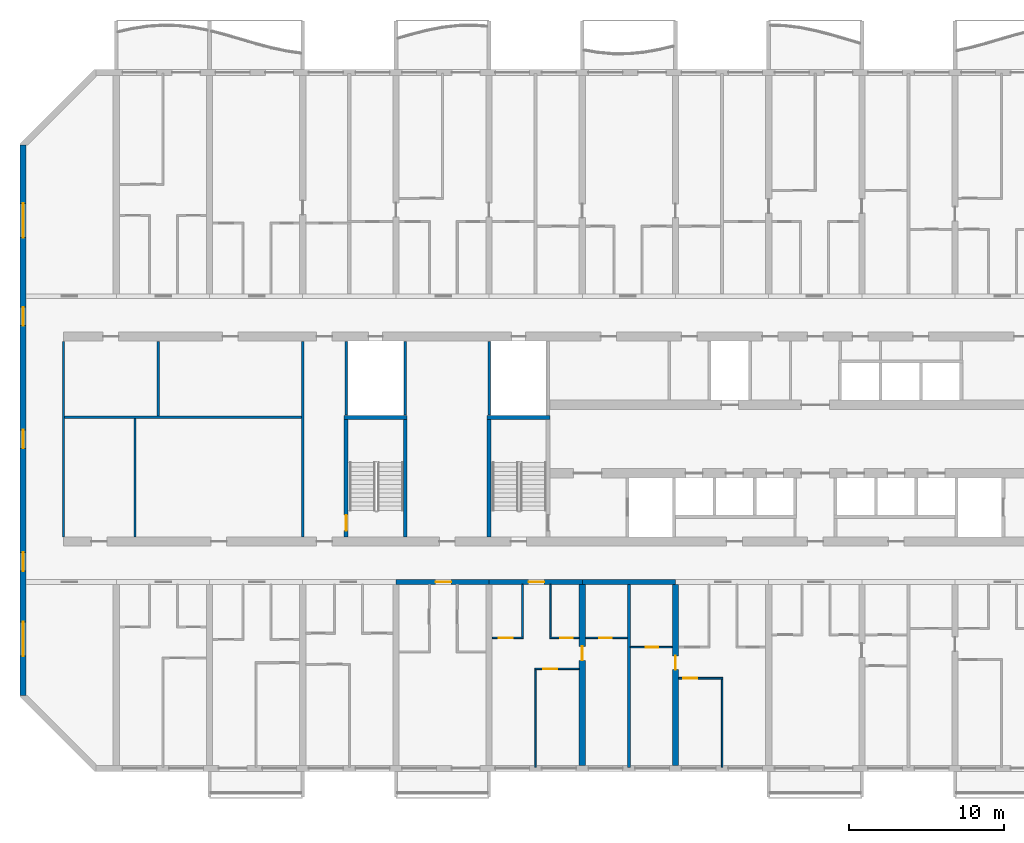
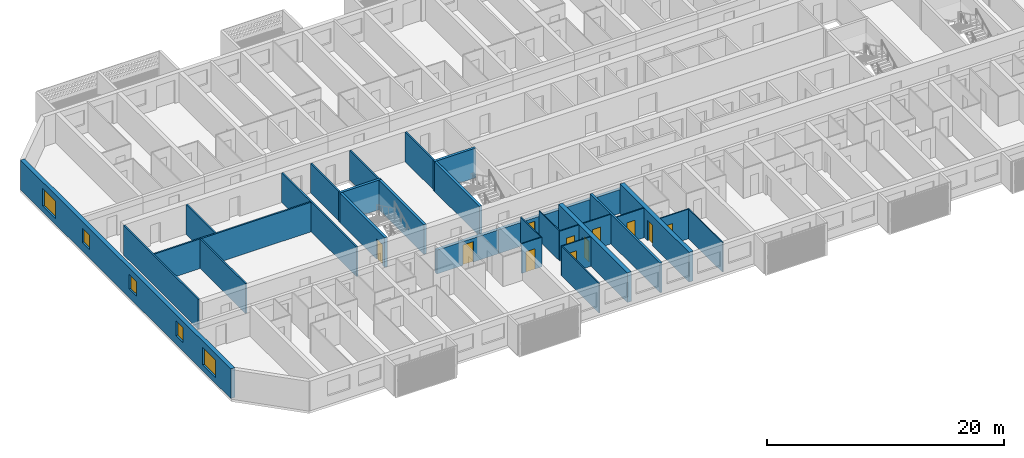
# One storey, part 3 of 40: 30 walls, 11 doors, 5 windows, 16 openings.
"""IFC4 building model written with IfcOpenShell, lengths in metres."""

import ifcopenshell
import ifcopenshell.guid

model = None  # the IFC model being written
_history = None  # IfcOwnerHistory: only IFC2X3 demands one
_inside = {}  # id of a spatial element -> (the spatial element, [elements in it])
_under = {}  # id of a project, library or spatial element -> (it, [spatial elements below it])
_declared = {}  # id of a project -> (the project, [libraries it declares])
_typed = {}  # id of a type object -> (the type object, [elements of that type])
_made_of = {}  # id of a material, layer set ... -> (it, [elements and type objects made of it])


def new_model(schema):
    """Start an empty IFC model of exactly this schema.

    Asked for "IFC4X3", IfcOpenShell would pick the latest addendum, in which some entities
    have other attributes; the version numbers below select the first issue.
    IFC2X3 requires an IfcOwnerHistory on every rooted entity: one is made here for all.
    """
    global model, _history
    if schema == "IFC4X3":
        model = ifcopenshell.file(schema_version=(4, 3, 0, 0))
    else:
        model = ifcopenshell.file(schema=schema)
    _inside.clear()
    _under.clear()
    _declared.clear()
    _typed.clear()
    _made_of.clear()
    _history = None
    if model.schema == "IFC2X3":
        org = make("IfcOrganization", Name="unknown")
        user = make(
            "IfcPersonAndOrganization",
            ThePerson=make("IfcPerson", FamilyName="unknown"),
            TheOrganization=org,
        )
        app = make(
            "IfcApplication",
            ApplicationDeveloper=org,
            Version="unknown",
            ApplicationFullName="unknown",
            ApplicationIdentifier="unknown",
        )
        _history = make(
            "IfcOwnerHistory",
            OwningUser=user,
            OwningApplication=app,
            ChangeAction="ADDED",
            CreationDate=0,
        )
    return model


def make(cls, **values):
    """One entity of the class cls with the attributes given. An attribute that is None is left unset."""
    return model.create_entity(
        cls, **{name: value for name, value in values.items() if value is not None}
    )


def rooted(cls, **values):
    """An entity with a GlobalId (a new one), such as an element, a storey or a relation."""
    return make(cls, GlobalId=ifcopenshell.guid.new(), OwnerHistory=_history, **values)


def si_unit(unit_type, name, prefix=None):
    """IfcSIUnit, for example si_unit("LENGTHUNIT", "METRE", prefix="MILLI")."""
    return make("IfcSIUnit", UnitType=unit_type, Prefix=prefix, Name=name)


def assignment(units):
    """IfcUnitAssignment: the units of a project."""
    return None if units is None else make("IfcUnitAssignment", Units=units)


def point(xyz):
    """IfcCartesianPoint."""
    return None if xyz is None else make("IfcCartesianPoint", Coordinates=xyz)


def direction(xyz):
    """IfcDirection."""
    return None if xyz is None else make("IfcDirection", DirectionRatios=xyz)


def frame(location, z_axis=None, x_axis=None):
    """IfcAxis2Placement3D, a coordinate frame: its origin and axes. An axis left out is left unset."""
    return make(
        "IfcAxis2Placement3D",
        Location=point(location),
        Axis=direction(z_axis),
        RefDirection=direction(x_axis),
    )


def frame_2d(location, x_axis=None):
    """IfcAxis2Placement2D, a coordinate frame in the plane: its origin and x axis."""
    return make(
        "IfcAxis2Placement2D", Location=point(location), RefDirection=direction(x_axis)
    )


def origin():
    """The frame at (0, 0, 0) with its axes left unset."""
    return frame((0.0, 0.0, 0.0))


def place(relative_to, where):
    """IfcLocalPlacement: puts the frame where relative to a parent placement (None: the world)."""
    return make(
        "IfcLocalPlacement", PlacementRelTo=relative_to, RelativePlacement=where
    )


def context(
    kind, dimensions, precision=None, world=None, true_north=None, identifier=None
):
    """IfcGeometricRepresentationContext, for example the 3D "Model" context."""
    return make(
        "IfcGeometricRepresentationContext",
        ContextIdentifier=identifier,
        ContextType=kind,
        CoordinateSpaceDimension=dimensions,
        Precision=precision,
        WorldCoordinateSystem=world,
        TrueNorth=true_north,
    )


def subcontext(parent, identifier, kind, view, scale=None):
    """IfcGeometricRepresentationSubContext, for example "Body" below "Model"."""
    return make(
        "IfcGeometricRepresentationSubContext",
        ContextIdentifier=identifier,
        ContextType=kind,
        ParentContext=parent,
        TargetScale=scale,
        TargetView=view,
    )


def project(units=None, contexts=None):
    """IfcProject with its units and contexts."""
    return rooted(
        "IfcProject",
        Name="project",
        RepresentationContexts=contexts,
        UnitsInContext=assignment(units),
    )


def spatial(cls, under=None, at=None, **own):
    """A site, building, storey or space (cls), placed at a placement, below another one or the project."""
    s = rooted(cls, ObjectPlacement=at, **own)
    if under is not None:
        _under.setdefault(under.id(), (under, []))[1].append(s)
    return s


def profile(cls, at=None, kind="AREA", **sizes):
    """A parametric profile (cls). Its sizes go by their IFC names, for example OverallWidth=200.0."""
    return make(cls, ProfileType=kind, Position=at, **sizes)


def rectangle(**sizes):
    """IfcRectangleProfileDef."""
    return profile("IfcRectangleProfileDef", **sizes)


def extrude(swept, where, along, depth):
    """IfcExtrudedAreaSolid: the profile swept, set in the frame where, extruded along a direction by depth."""
    return make(
        "IfcExtrudedAreaSolid",
        SweptArea=swept,
        Position=where,
        ExtrudedDirection=direction(along),
        Depth=depth,
    )


def shape(context_of_items, identifier, shape_type, items):
    """IfcShapeRepresentation: the items that make up one representation, for example the "Body"."""
    return make(
        "IfcShapeRepresentation",
        ContextOfItems=context_of_items,
        RepresentationIdentifier=identifier,
        RepresentationType=shape_type,
        Items=items,
    )


def material(Name=None, Category=None):
    """IfcMaterial."""
    return make("IfcMaterial", Name=Name, Category=Category)


def layer(
    of_material, thickness, ventilated=None, Name=None, Category=None, Priority=None
):
    """IfcMaterialLayer: one layer of a wall or slab, of a material (None: an air gap)."""
    return make(
        "IfcMaterialLayer",
        Material=of_material,
        LayerThickness=thickness,
        IsVentilated=ventilated,
        Name=Name,
        Category=Category,
        Priority=Priority,
    )


def layer_set(layers, Name=None):
    """IfcMaterialLayerSet."""
    return make("IfcMaterialLayerSet", MaterialLayers=layers, LayerSetName=Name)


def made_of(thing, what):
    """Note that an element or type object is made of a material, layer set ...; save() writes the relation."""
    if what is not None:
        _made_of.setdefault(what.id(), (what, []))[1].append(thing)
    return thing


def type_object(cls, material=None, **own):
    """A type object (cls), such as IfcWallType, which elements share."""
    return made_of(rooted(cls, **own), material)


def element(
    cls,
    number,
    at=None,
    inside=None,
    cuts=None,
    type_object=None,
    material=None,
    context=None,
    identifier="Body",
    shape_type=None,
    held_by="IfcProductDefinitionShape",
    body=None,
    shapes=None,
    **own,
):
    """One element of the class cls, such as IfcWall. Its Tag is "e" and its number.

    at: its placement. inside: the storey or other place that contains it. cuts: it is an
    opening in that element (IfcRelVoidsElement). A single representation is given by context,
    identifier, shape_type and body (its items); several are given by shapes. held_by: the class
    of the entity that holds the representations. save() writes the other relations.
    """
    e = rooted(cls, Tag="e%d" % number, ObjectPlacement=at, **own)
    if body is not None:
        shapes = [shape(context, identifier, shape_type, body)]
    if shapes is not None:
        e.Representation = make(held_by, Representations=shapes)
    if inside is not None:
        _inside.setdefault(inside.id(), (inside, []))[1].append(e)
    if cuts is not None:
        rooted(
            "IfcRelVoidsElement", RelatingBuildingElement=cuts, RelatedOpeningElement=e
        )
    if type_object is not None:
        _typed.setdefault(type_object.id(), (type_object, []))[1].append(e)
    return made_of(e, material)


def fill(opening, filler):
    """IfcRelFillsElement: the door or window that sits in an opening."""
    return rooted(
        "IfcRelFillsElement",
        RelatingOpeningElement=opening,
        RelatedBuildingElement=filler,
    )


def aggregate(whole, parts):
    """IfcRelAggregates: a whole, such as a stair, and the parts it consists of."""
    return rooted("IfcRelAggregates", RelatingObject=whole, RelatedObjects=parts)


def save(model, path):
    """Write the relations noted so far, then the file.

    IfcRelAggregates (storeys below a building ...), IfcRelContainedInSpatialStructure (elements
    in a storey), IfcRelDefinesByType, IfcRelAssociatesMaterial and IfcRelDeclares: one each for
    every whole, place, type object, material and project.
    """
    for whole, parts in _under.values():
        aggregate(whole, parts)
    for where, things in _inside.values():
        rooted(
            "IfcRelContainedInSpatialStructure",
            RelatedElements=things,
            RelatingStructure=where,
        )
    for kind, things in _typed.values():
        rooted("IfcRelDefinesByType", RelatedObjects=things, RelatingType=kind)
    for what, things in _made_of.values():
        rooted("IfcRelAssociatesMaterial", RelatedObjects=things, RelatingMaterial=what)
    for by, libraries in _declared.values():
        rooted("IfcRelDeclares", RelatingContext=by, RelatedDefinitions=libraries)
    model.write(path)


model = new_model("IFC4")

# Units and contexts
model_context = context("Model", 3, precision=1e-05, world=origin(), true_north=direction((0.0, 1.0)))
body_context = subcontext(model_context, "Body", "Model", "MODEL_VIEW")
ifc_project = project(units=[si_unit("LENGTHUNIT", "METRE"), si_unit("AREAUNIT", "SQUARE_METRE"), si_unit("VOLUMEUNIT", "CUBIC_METRE"), si_unit("PLANEANGLEUNIT", "RADIAN"), si_unit("MASSUNIT", "GRAM", prefix="KILO")], contexts=[model_context])

# Site, building, storey
site_placement = place(None, origin())
site = spatial("IfcSite", under=ifc_project, at=site_placement, CompositionType="ELEMENT")
building_placement = place(site_placement, origin())
building = spatial("IfcBuilding", under=site, at=building_placement, Name="Poui Terraces", CompositionType="ELEMENT")
storey_placement = place(building_placement, frame((0.0, 0.0, 36.60009765625)))
storey = spatial("IfcBuildingStorey", under=building, at=storey_placement, Name="L09", CompositionType="ELEMENT", Elevation=36.60009765625)

# Walls
ifc_material_1 = material(Name="Fire-rated plasterboard wall")
ifc_layer_1 = layer(ifc_material_1, 0.14990234375)
ifc_layer_set_1 = layer_set([ifc_layer_1], Name="Fire-rated plasterboard wall")
wall_type_1 = type_object("IfcWallType", Name="CORRIDOR WALL 150", PredefinedType="PARTITIONING", material=ifc_layer_set_1)
for number, where, z_axis, x_axis, name in (
    (1, (2.60009765625, 14.909912109375, 0.0), (0.0, 0.0, 1.0), (0.0, 1.0, 0.0), "CORRIDOR WALL 150"),
    (2, (18.0, 14.909912109375, 0.0), (0.0, 0.0, 1.0), (0.0, 1.0, 0.0), "CORRIDOR WALL 150"),
):
    element("IfcWall", number, at=place(storey_placement, frame(where, z_axis=z_axis, x_axis=x_axis)), inside=storey, type_object=wall_type_1, Name=name, PredefinedType="PARTITIONING", context=body_context, shape_type="SweptSolid", body=[
        extrude(rectangle(XDim=12.580078125, YDim=0.14990234375, at=frame_2d((6.2900390625, 0.0))), origin(), (0.0, 0.0, 1.0), 3.0498046875),
    ])

# Wall, opening, door
ifc_material_2 = material(Name="Concrete 80 MPa", Category="concrete")
ifc_layer_2 = layer(ifc_material_2, 0.300048828125)
ifc_layer_set_2 = layer_set([ifc_layer_2], Name="Concrete 80 MPa")
wall_type_2 = type_object("IfcWallType", Name="CORRIDOR WALL 300 80MPa", PredefinedType="SHEAR", material=ifc_layer_set_2)
wall_1_placement = place(storey_placement, frame((24.0, 12.0, 0.0), z_axis=(0.0, 0.0, 1.0), x_axis=(1.0, 0.0, 0.0)))
wall_1 = element("IfcWall", 3, at=wall_1_placement, inside=storey, type_object=wall_type_2, Name="CORRIDOR WALL LINE B BAY 5", PredefinedType="SHEAR", context=body_context, shape_type="SweptSolid", body=[
    extrude(rectangle(XDim=6.0, YDim=0.300048828125, at=frame_2d((3.0, 0.0))), origin(), (0.0, 0.0, 1.0), 2.449951171875),
])
opening_1_placement = place(wall_1_placement, frame((2.550048828125, 0.0, 0.0)))
opening_1 = element("IfcOpeningElement", 4, at=opening_1_placement, cuts=wall_1, Name="Opening FD30S", PredefinedType="OPENING", context=body_context, shape_type="SweptSolid", body=[
    extrude(rectangle(XDim=1.0, YDim=2.10009765625, at=frame_2d((0.5, 1.050048828125))), frame((0.0, 0.16015625, 0.0), z_axis=(0.0, -1.0, 0.0), x_axis=(1.0, 0.0, 0.0)), (0.0, 0.0, 1.0), 0.320068359375),
])
ifc_material_3 = material(Name="Steel fire door", Category="steel")
door_type_1 = type_object("IfcDoorType", Name="FLAT ENTRANCE DOOR 1000 X 2100", OperationType="NOTDEFINED", PredefinedType="DOOR", material=ifc_material_3)
door_1_placement = place(opening_1_placement, frame((1.0, 0.0, 0.0), z_axis=(0.0, 0.0, 1.0), x_axis=(-1.0, 0.0, 0.0)))
door_1 = element("IfcDoor", 5, at=door_1_placement, inside=storey, type_object=door_type_1, Name="FLAT ENTRANCE DOOR 104", OperationType="SINGLE_SWING_LEFT", OverallHeight=2.10009765625, OverallWidth=1.0, PredefinedType="DOOR", context=body_context, shape_type="SweptSolid", body=[
    extrude(rectangle(XDim=1.0, YDim=2.10009765625, at=frame_2d((0.5, 1.050048828125))), frame((0.0, 0.02490234375, 0.0), z_axis=(0.0, -1.0, 0.0), x_axis=(1.0, 0.0, 0.0)), (0.0, 0.0, 1.0), 0.050048828125),
])
fill(opening_1, door_1)

wall_2_placement = place(storey_placement, frame((30.0, 12.0, 0.0), z_axis=(0.0, 0.0, 1.0), x_axis=(1.0, 0.0, 0.0)))
wall_2 = element("IfcWall", 6, at=wall_2_placement, inside=storey, type_object=wall_type_2, Name="CORRIDOR WALL LINE B BAY 6", PredefinedType="SHEAR", context=body_context, shape_type="SweptSolid", body=[
    extrude(rectangle(XDim=6.0, YDim=0.300048828125, at=frame_2d((3.0, 0.0))), origin(), (0.0, 0.0, 1.0), 2.449951171875),
])
opening_2_placement = place(wall_2_placement, frame((2.550048828125, 0.0, 0.0)))
opening_2 = element("IfcOpeningElement", 7, at=opening_2_placement, cuts=wall_2, Name="Opening FD30S", PredefinedType="OPENING", context=body_context, shape_type="SweptSolid", body=[
    extrude(rectangle(XDim=1.0, YDim=2.10009765625, at=frame_2d((0.5, 1.050048828125))), frame((0.0, 0.16015625, 0.0), z_axis=(0.0, -1.0, 0.0), x_axis=(1.0, 0.0, 0.0)), (0.0, 0.0, 1.0), 0.320068359375),
])
door_2_placement = place(opening_2_placement, frame((1.0, 0.0, 0.0), z_axis=(0.0, 0.0, 1.0), x_axis=(-1.0, 0.0, 0.0)))
door_2 = element("IfcDoor", 8, at=door_2_placement, inside=storey, type_object=door_type_1, Name="FLAT ENTRANCE DOOR 108", OperationType="SINGLE_SWING_LEFT", OverallHeight=2.10009765625, OverallWidth=1.0, PredefinedType="DOOR", context=body_context, shape_type="SweptSolid", body=[
    extrude(rectangle(XDim=1.0, YDim=2.10009765625, at=frame_2d((0.5, 1.050048828125))), frame((0.0, 0.02490234375, 0.0), z_axis=(0.0, -1.0, 0.0), x_axis=(1.0, 0.0, 0.0)), (0.0, 0.0, 1.0), 0.050048828125),
])
fill(opening_2, door_2)

# Wall
wall_3_placement = place(storey_placement, frame((36.0, 12.0, 0.0), z_axis=(0.0, 0.0, 1.0), x_axis=(1.0, 0.0, 0.0)))
element("IfcWall", 9, at=wall_3_placement, inside=storey, type_object=wall_type_2, Name="CORRIDOR WALL LINE B BAY 7", PredefinedType="SHEAR", context=body_context, shape_type="SweptSolid", body=[
    extrude(rectangle(XDim=6.0, YDim=0.300048828125, at=frame_2d((3.0, 0.0))), origin(), (0.0, 0.0, 1.0), 2.449951171875),
])

# Wall, opening, door
ifc_layer_3 = layer(ifc_material_2, 0.39990234375)
ifc_layer_set_3 = layer_set([ifc_layer_3], Name="Concrete 80 MPa")
wall_type_3 = type_object("IfcWallType", Name="CROSS WALL 400 80MPa", PredefinedType="SHEAR", material=ifc_layer_set_3)
wall_4_placement = place(storey_placement, frame((36.0, 0.199951171875, 0.0), z_axis=(0.0, 0.0, 1.0), x_axis=(0.0, 1.0, 0.0)))
wall_4 = element("IfcWall", 10, at=wall_4_placement, inside=storey, type_object=wall_type_3, Name="CROSS WALL LINE 7 SOUTH", PredefinedType="SHEAR", context=body_context, shape_type="SweptSolid", body=[
    extrude(rectangle(XDim=11.650146484375, YDim=0.39990234375, at=frame_2d((5.8251953125, 0.0))), origin(), (0.0, 0.0, 1.0), 3.0498046875),
])
opening_3_placement = place(wall_4_placement, frame((6.75, 0.0, 0.0)))
opening_3 = element("IfcOpeningElement", 11, at=opening_3_placement, cuts=wall_4, Name="Opening D90", PredefinedType="OPENING", context=body_context, shape_type="SweptSolid", body=[
    extrude(rectangle(XDim=0.89990234375, YDim=2.10009765625, at=frame_2d((0.449951171875, 1.050048828125))), frame((0.0, 0.2099609375, 0.0), z_axis=(0.0, -1.0, 0.0), x_axis=(1.0, 0.0, 0.0)), (0.0, 0.0, 1.0), 0.419921875),
])
ifc_material_4 = material(Name="Solid core timber door", Category="wood")
door_type_2 = type_object("IfcDoorType", Name="INTERNAL DOOR 900 X 2100", OperationType="NOTDEFINED", PredefinedType="DOOR", material=ifc_material_4)
door_3_placement = place(opening_3_placement, frame((0.89990234375, 0.0, 0.0), z_axis=(0.0, 0.0, 1.0), x_axis=(-1.0, 0.0, 0.0)))
door_3 = element("IfcDoor", 12, at=door_3_placement, inside=storey, type_object=door_type_2, Name="INTERNAL DOOR 111", OperationType="SINGLE_SWING_LEFT", OverallHeight=2.10009765625, OverallWidth=0.89990234375, PredefinedType="DOOR", context=body_context, shape_type="SweptSolid", body=[
    extrude(rectangle(XDim=0.89990234375, YDim=2.10009765625, at=frame_2d((0.449951171875, 1.050048828125))), frame((0.0, 0.02490234375, 0.0), z_axis=(0.0, -1.0, 0.0), x_axis=(1.0, 0.0, 0.0)), (0.0, 0.0, 1.0), 0.050048828125),
])
fill(opening_3, door_3)

wall_5_placement = place(storey_placement, frame((42.0, 0.199951171875, 0.0), z_axis=(0.0, 0.0, 1.0), x_axis=(0.0, 1.0, 0.0)))
wall_5 = element("IfcWall", 13, at=wall_5_placement, inside=storey, type_object=wall_type_3, Name="CROSS WALL LINE 8 SOUTH", PredefinedType="SHEAR", context=body_context, shape_type="SweptSolid", body=[
    extrude(rectangle(XDim=11.650146484375, YDim=0.39990234375, at=frame_2d((5.8251953125, 0.0))), origin(), (0.0, 0.0, 1.0), 3.0498046875),
])
opening_4_placement = place(wall_5_placement, frame((6.14990234375, 0.0, 0.0)))
opening_4 = element("IfcOpeningElement", 14, at=opening_4_placement, cuts=wall_5, Name="Opening D90", PredefinedType="OPENING", context=body_context, shape_type="SweptSolid", body=[
    extrude(rectangle(XDim=0.89990234375, YDim=2.10009765625, at=frame_2d((0.449951171875, 1.050048828125))), frame((0.0, 0.2099609375, 0.0), z_axis=(0.0, -1.0, 0.0), x_axis=(1.0, 0.0, 0.0)), (0.0, 0.0, 1.0), 0.419921875),
])
door_4_placement = place(opening_4_placement, origin())
door_4 = element("IfcDoor", 15, at=door_4_placement, inside=storey, type_object=door_type_2, Name="INTERNAL DOOR 113", OperationType="SINGLE_SWING_RIGHT", OverallHeight=2.10009765625, OverallWidth=0.89990234375, PredefinedType="DOOR", context=body_context, shape_type="SweptSolid", body=[
    extrude(rectangle(XDim=0.89990234375, YDim=2.10009765625, at=frame_2d((0.449951171875, 1.050048828125))), frame((0.0, 0.02490234375, 0.0), z_axis=(0.0, -1.0, 0.0), x_axis=(1.0, 0.0, 0.0)), (0.0, 0.0, 1.0), 0.050048828125),
])
fill(opening_4, door_4)

# Wall, openings, windows
ifc_layer_4 = layer(ifc_material_2, 0.39990234375)
ifc_layer_set_4 = layer_set([ifc_layer_4], Name="Concrete 80 MPa")
wall_type_4 = type_object("IfcWallType", Name="END WALL 400 80MPa", PredefinedType="SHEAR", material=ifc_layer_set_4)
wall_6_placement = place(storey_placement, frame((0.0, 4.682861328125, 0.0), z_axis=(0.0, 0.0, 1.0), x_axis=(0.0, 1.0, 0.0)))
wall_6 = element("IfcWall", 16, at=wall_6_placement, inside=storey, type_object=wall_type_4, Name="END WALL WEST", PredefinedType="SHEAR", context=body_context, shape_type="SweptSolid", body=[
    extrude(rectangle(XDim=35.434326171875, YDim=0.39990234375, at=frame_2d((17.71728515625, 0.0))), origin(), (0.0, 0.0, 1.0), 3.0498046875),
])
opening_5_placement = place(wall_6_placement, frame((23.817138671875, 0.0, 0.89990234375)))
opening_5 = element("IfcOpeningElement", 17, at=opening_5_placement, cuts=wall_6, Name="Opening W2", PredefinedType="OPENING", context=body_context, shape_type="SweptSolid", body=[
    extrude(rectangle(XDim=1.199951171875, YDim=1.5, at=frame_2d((0.60009765625, 0.75))), frame((0.0, 0.2099609375, 0.0), z_axis=(0.0, -1.0, 0.0), x_axis=(1.0, 0.0, 0.0)), (0.0, 0.0, 1.0), 0.419921875),
])
opening_6_placement = place(wall_6_placement, frame((8.01708984375, 0.0, 0.89990234375)))
opening_6 = element("IfcOpeningElement", 18, at=opening_6_placement, cuts=wall_6, Name="Opening W2", PredefinedType="OPENING", context=body_context, shape_type="SweptSolid", body=[
    extrude(rectangle(XDim=1.199951171875, YDim=1.5, at=frame_2d((0.60009765625, 0.75))), frame((0.0, 0.2099609375, 0.0), z_axis=(0.0, -1.0, 0.0), x_axis=(1.0, 0.0, 0.0)), (0.0, 0.0, 1.0), 0.419921875),
])
opening_7_placement = place(wall_6_placement, frame((15.917236328125, 0.0, 0.89990234375)))
opening_7 = element("IfcOpeningElement", 19, at=opening_7_placement, cuts=wall_6, Name="Opening W2", PredefinedType="OPENING", context=body_context, shape_type="SweptSolid", body=[
    extrude(rectangle(XDim=1.199951171875, YDim=1.5, at=frame_2d((0.60009765625, 0.75))), frame((0.0, 0.2099609375, 0.0), z_axis=(0.0, -1.0, 0.0), x_axis=(1.0, 0.0, 0.0)), (0.0, 0.0, 1.0), 0.419921875),
])
opening_8_placement = place(wall_6_placement, frame((29.493408203125, 0.0, 0.60009765625)))
opening_8 = element("IfcOpeningElement", 20, at=opening_8_placement, cuts=wall_6, Name="Opening W3", PredefinedType="OPENING", context=body_context, shape_type="SweptSolid", body=[
    extrude(rectangle(XDim=2.199951171875, YDim=1.800048828125, at=frame_2d((1.10009765625, 0.89990234375))), frame((0.0, 0.2099609375, 0.0), z_axis=(0.0, -1.0, 0.0), x_axis=(1.0, 0.0, 0.0)), (0.0, 0.0, 1.0), 0.419921875),
])
opening_9_placement = place(wall_6_placement, frame((2.541015625, 0.0, 0.60009765625)))
opening_9 = element("IfcOpeningElement", 21, at=opening_9_placement, cuts=wall_6, Name="Opening W3", PredefinedType="OPENING", context=body_context, shape_type="SweptSolid", body=[
    extrude(rectangle(XDim=2.199951171875, YDim=1.800048828125, at=frame_2d((1.10009765625, 0.89990234375))), frame((0.0, 0.2099609375, 0.0), z_axis=(0.0, -1.0, 0.0), x_axis=(1.0, 0.0, 0.0)), (0.0, 0.0, 1.0), 0.419921875),
])
ifc_material_5 = material(Name="Clear glass in aluminium frame", Category="aluminium")
window_type_1 = type_object("IfcWindowType", Name="WINDOW 1200X1500", PartitioningType="SINGLE_PANEL", PredefinedType="WINDOW", material=ifc_material_5)
window_1_placement = place(opening_5_placement, origin())
window_1 = element("IfcWindow", 22, at=window_1_placement, inside=storey, type_object=window_type_1, Name="W2 WINDOW", OverallHeight=1.5, OverallWidth=1.199951171875, PartitioningType="SINGLE_PANEL", PredefinedType="WINDOW", context=body_context, shape_type="SweptSolid", body=[
    extrude(rectangle(XDim=1.199951171875, YDim=1.5, at=frame_2d((0.60009765625, 0.75))), frame((0.0, 0.030029296875, 0.0), z_axis=(0.0, -1.0, 0.0), x_axis=(1.0, 0.0, 0.0)), (0.0, 0.0, 1.0), 0.06005859375),
])
fill(opening_5, window_1)
window_2_placement = place(opening_6_placement, origin())
window_2 = element("IfcWindow", 23, at=window_2_placement, inside=storey, type_object=window_type_1, Name="W2 WINDOW", OverallHeight=1.5, OverallWidth=1.199951171875, PartitioningType="SINGLE_PANEL", PredefinedType="WINDOW", context=body_context, shape_type="SweptSolid", body=[
    extrude(rectangle(XDim=1.199951171875, YDim=1.5, at=frame_2d((0.60009765625, 0.75))), frame((0.0, 0.030029296875, 0.0), z_axis=(0.0, -1.0, 0.0), x_axis=(1.0, 0.0, 0.0)), (0.0, 0.0, 1.0), 0.06005859375),
])
fill(opening_6, window_2)
window_3_placement = place(opening_7_placement, origin())
window_3 = element("IfcWindow", 24, at=window_3_placement, inside=storey, type_object=window_type_1, Name="W2 WINDOW", OverallHeight=1.5, OverallWidth=1.199951171875, PartitioningType="SINGLE_PANEL", PredefinedType="WINDOW", context=body_context, shape_type="SweptSolid", body=[
    extrude(rectangle(XDim=1.199951171875, YDim=1.5, at=frame_2d((0.60009765625, 0.75))), frame((0.0, 0.030029296875, 0.0), z_axis=(0.0, -1.0, 0.0), x_axis=(1.0, 0.0, 0.0)), (0.0, 0.0, 1.0), 0.06005859375),
])
fill(opening_7, window_3)
window_type_2 = type_object("IfcWindowType", Name="WINDOW 2200X1800", PartitioningType="DOUBLE_PANEL_HORIZONTAL", PredefinedType="WINDOW", material=ifc_material_5)
window_4_placement = place(opening_8_placement, origin())
window_4 = element("IfcWindow", 25, at=window_4_placement, inside=storey, type_object=window_type_2, Name="W3 WINDOW", OverallHeight=1.800048828125, OverallWidth=2.199951171875, PartitioningType="DOUBLE_PANEL_HORIZONTAL", PredefinedType="WINDOW", context=body_context, shape_type="SweptSolid", body=[
    extrude(rectangle(XDim=2.199951171875, YDim=1.800048828125, at=frame_2d((1.10009765625, 0.89990234375))), frame((0.0, 0.030029296875, 0.0), z_axis=(0.0, -1.0, 0.0), x_axis=(1.0, 0.0, 0.0)), (0.0, 0.0, 1.0), 0.06005859375),
])
fill(opening_8, window_4)
window_5_placement = place(opening_9_placement, origin())
window_5 = element("IfcWindow", 26, at=window_5_placement, inside=storey, type_object=window_type_2, Name="W3 WINDOW", OverallHeight=1.800048828125, OverallWidth=2.199951171875, PartitioningType="DOUBLE_PANEL_HORIZONTAL", PredefinedType="WINDOW", context=body_context, shape_type="SweptSolid", body=[
    extrude(rectangle(XDim=2.199951171875, YDim=1.800048828125, at=frame_2d((1.10009765625, 0.89990234375))), frame((0.0, 0.030029296875, 0.0), z_axis=(0.0, -1.0, 0.0), x_axis=(1.0, 0.0, 0.0)), (0.0, 0.0, 1.0), 0.06005859375),
])
fill(opening_9, window_5)

# Wall, opening, door
ifc_material_6 = material(Name="Plasterboard partition")
ifc_layer_5 = layer(ifc_material_6, 0.10009765625)
ifc_layer_set_5 = layer_set([ifc_layer_5], Name="Plasterboard partition")
wall_type_5 = type_object("IfcWallType", Name="FLAT PARTITION 100", PredefinedType="PARTITIONING", material=ifc_layer_set_5)
wall_7_placement = place(storey_placement, frame((42.2099609375, 5.800048828125, 0.0), z_axis=(0.0, 0.0, 1.0), x_axis=(1.0, 0.0, 0.0)))
wall_7 = element("IfcWall", 27, at=wall_7_placement, inside=storey, type_object=wall_type_5, Name="FLAT PARTITION 100", PredefinedType="PARTITIONING", context=body_context, shape_type="SweptSolid", body=[
    extrude(rectangle(XDim=2.840087890625, YDim=0.10009765625, at=frame_2d((1.419921875, 0.0))), origin(), (0.0, 0.0, 1.0), 3.0498046875),
])
opening_10_placement = place(wall_7_placement, frame((0.2900390625, 0.0, 0.0)))
opening_10 = element("IfcOpeningElement", 28, at=opening_10_placement, cuts=wall_7, Name="Opening D90", PredefinedType="OPENING", context=body_context, shape_type="SweptSolid", body=[
    extrude(rectangle(XDim=0.89990234375, YDim=2.10009765625, at=frame_2d((0.449951171875, 1.050048828125))), frame((0.0, 0.06005859375, 0.0), z_axis=(0.0, -1.0, 0.0), x_axis=(1.0, 0.0, 0.0)), (0.0, 0.0, 1.0), 0.1201171875),
])
door_5_placement = place(opening_10_placement, origin())
door_5 = element("IfcDoor", 29, at=door_5_placement, inside=storey, type_object=door_type_2, Name="INTERNAL DOOR 114", OperationType="SINGLE_SWING_RIGHT", OverallHeight=2.10009765625, OverallWidth=0.89990234375, PredefinedType="DOOR", context=body_context, shape_type="SweptSolid", body=[
    extrude(rectangle(XDim=0.89990234375, YDim=2.10009765625, at=frame_2d((0.449951171875, 1.050048828125))), frame((0.0, 0.02490234375, 0.0), z_axis=(0.0, -1.0, 0.0), x_axis=(1.0, 0.0, 0.0)), (0.0, 0.0, 1.0), 0.050048828125),
])
fill(opening_10, door_5)

wall_8_placement = place(storey_placement, frame((32.949951171875, 6.39990234375, 0.0), z_axis=(0.0, 0.0, 1.0), x_axis=(1.0, 0.0, 0.0)))
wall_8 = element("IfcWall", 30, at=wall_8_placement, inside=storey, type_object=wall_type_5, Name="FLAT PARTITION 100", PredefinedType="PARTITIONING", context=body_context, shape_type="SweptSolid", body=[
    extrude(rectangle(XDim=2.840087890625, YDim=0.10009765625, at=frame_2d((1.419921875, 0.0))), origin(), (0.0, 0.0, 1.0), 3.0498046875),
])
opening_11_placement = place(wall_8_placement, frame((0.550048828125, 0.0, 0.0)))
opening_11 = element("IfcOpeningElement", 31, at=opening_11_placement, cuts=wall_8, Name="Opening D90", PredefinedType="OPENING", context=body_context, shape_type="SweptSolid", body=[
    extrude(rectangle(XDim=0.89990234375, YDim=2.10009765625, at=frame_2d((0.449951171875, 1.050048828125))), frame((0.0, 0.06005859375, 0.0), z_axis=(0.0, -1.0, 0.0), x_axis=(1.0, 0.0, 0.0)), (0.0, 0.0, 1.0), 0.1201171875),
])
door_6_placement = place(opening_11_placement, origin())
door_6 = element("IfcDoor", 32, at=door_6_placement, inside=storey, type_object=door_type_2, Name="INTERNAL DOOR 109", OperationType="SINGLE_SWING_RIGHT", OverallHeight=2.10009765625, OverallWidth=0.89990234375, PredefinedType="DOOR", context=body_context, shape_type="SweptSolid", body=[
    extrude(rectangle(XDim=0.89990234375, YDim=2.10009765625, at=frame_2d((0.449951171875, 1.050048828125))), frame((0.0, 0.02490234375, 0.0), z_axis=(0.0, -1.0, 0.0), x_axis=(1.0, 0.0, 0.0)), (0.0, 0.0, 1.0), 0.050048828125),
])
fill(opening_11, door_6)

wall_9_placement = place(storey_placement, frame((39.10009765625, 7.800048828125, 0.0), z_axis=(0.0, 0.0, 1.0), x_axis=(1.0, 0.0, 0.0)))
wall_9 = element("IfcWall", 33, at=wall_9_placement, inside=storey, type_object=wall_type_5, Name="FLAT PARTITION 100", PredefinedType="PARTITIONING", context=body_context, shape_type="SweptSolid", body=[
    extrude(rectangle(XDim=2.68994140625, YDim=0.10009765625, at=frame_2d((1.344970703125, 0.0))), origin(), (0.0, 0.0, 1.0), 3.0498046875),
])
opening_12_placement = place(wall_9_placement, frame((1.0, 0.0, 0.0)))
opening_12 = element("IfcOpeningElement", 34, at=opening_12_placement, cuts=wall_9, Name="Opening D80", PredefinedType="OPENING", context=body_context, shape_type="SweptSolid", body=[
    extrude(rectangle(XDim=0.800048828125, YDim=2.10009765625, at=frame_2d((0.39990234375, 1.050048828125))), frame((0.0, 0.06005859375, 0.0), z_axis=(0.0, -1.0, 0.0), x_axis=(1.0, 0.0, 0.0)), (0.0, 0.0, 1.0), 0.1201171875),
])
door_type_3 = type_object("IfcDoorType", Name="BATHROOM, LAUNDRY AND STORE DOOR 800 X 2100", OperationType="NOTDEFINED", PredefinedType="DOOR", material=ifc_material_4)
door_7_placement = place(opening_12_placement, origin())
door_7 = element("IfcDoor", 35, at=door_7_placement, inside=storey, type_object=door_type_3, Name="BATHROOM, LAUNDRY AND STORE DOOR 112", OperationType="SINGLE_SWING_LEFT", OverallHeight=2.10009765625, OverallWidth=0.800048828125, PredefinedType="DOOR", context=body_context, shape_type="SweptSolid", body=[
    extrude(rectangle(XDim=0.800048828125, YDim=2.10009765625, at=frame_2d((0.39990234375, 1.050048828125))), frame((0.0, 0.02490234375, 0.0), z_axis=(0.0, -1.0, 0.0), x_axis=(1.0, 0.0, 0.0)), (0.0, 0.0, 1.0), 0.050048828125),
])
fill(opening_12, door_7)

wall_10_placement = place(storey_placement, frame((30.2099609375, 8.39990234375, 0.0), z_axis=(0.0, 0.0, 1.0), x_axis=(1.0, 0.0, 0.0)))
wall_10 = element("IfcWall", 36, at=wall_10_placement, inside=storey, type_object=wall_type_5, Name="FLAT PARTITION 100", PredefinedType="PARTITIONING", context=body_context, shape_type="SweptSolid", body=[
    extrude(rectangle(XDim=1.989990234375, YDim=0.10009765625, at=frame_2d((0.9951171875, 0.0))), origin(), (0.0, 0.0, 1.0), 3.0498046875),
])
opening_13_placement = place(wall_10_placement, frame((0.4150390625, 0.0, 0.0)))
opening_13 = element("IfcOpeningElement", 37, at=opening_13_placement, cuts=wall_10, Name="Opening D90", PredefinedType="OPENING", context=body_context, shape_type="SweptSolid", body=[
    extrude(rectangle(XDim=0.89990234375, YDim=2.10009765625, at=frame_2d((0.449951171875, 1.050048828125))), frame((0.0, 0.06005859375, 0.0), z_axis=(0.0, -1.0, 0.0), x_axis=(1.0, 0.0, 0.0)), (0.0, 0.0, 1.0), 0.1201171875),
])
door_8_placement = place(opening_13_placement, origin())
door_8 = element("IfcDoor", 38, at=door_8_placement, inside=storey, type_object=door_type_2, Name="INTERNAL DOOR 107", OperationType="SINGLE_SWING_RIGHT", OverallHeight=2.10009765625, OverallWidth=0.89990234375, PredefinedType="DOOR", context=body_context, shape_type="SweptSolid", body=[
    extrude(rectangle(XDim=0.89990234375, YDim=2.10009765625, at=frame_2d((0.449951171875, 1.050048828125))), frame((0.0, 0.02490234375, 0.0), z_axis=(0.0, -1.0, 0.0), x_axis=(1.0, 0.0, 0.0)), (0.0, 0.0, 1.0), 0.050048828125),
])
fill(opening_13, door_8)

wall_11_placement = place(storey_placement, frame((33.89990234375, 8.39990234375, 0.0), z_axis=(0.0, 0.0, 1.0), x_axis=(1.0, 0.0, 0.0)))
wall_11 = element("IfcWall", 39, at=wall_11_placement, inside=storey, type_object=wall_type_5, Name="FLAT PARTITION 100", PredefinedType="PARTITIONING", context=body_context, shape_type="SweptSolid", body=[
    extrude(rectangle(XDim=1.89013671875, YDim=0.10009765625, at=frame_2d((0.945068359375, 0.0))), origin(), (0.0, 0.0, 1.0), 3.0498046875),
])
opening_14_placement = place(wall_11_placement, frame((0.675048828125, 0.0, 0.0)))
opening_14 = element("IfcOpeningElement", 40, at=opening_14_placement, cuts=wall_11, Name="Opening D80", PredefinedType="OPENING", context=body_context, shape_type="SweptSolid", body=[
    extrude(rectangle(XDim=0.800048828125, YDim=2.10009765625, at=frame_2d((0.39990234375, 1.050048828125))), frame((0.0, 0.06005859375, 0.0), z_axis=(0.0, -1.0, 0.0), x_axis=(1.0, 0.0, 0.0)), (0.0, 0.0, 1.0), 0.1201171875),
])
door_9_placement = place(opening_14_placement, origin())
door_9 = element("IfcDoor", 41, at=door_9_placement, inside=storey, type_object=door_type_3, Name="BATHROOM, LAUNDRY AND STORE DOOR 110", OperationType="SINGLE_SWING_LEFT", OverallHeight=2.10009765625, OverallWidth=0.800048828125, PredefinedType="DOOR", context=body_context, shape_type="SweptSolid", body=[
    extrude(rectangle(XDim=0.800048828125, YDim=2.10009765625, at=frame_2d((0.39990234375, 1.050048828125))), frame((0.0, 0.02490234375, 0.0), z_axis=(0.0, -1.0, 0.0), x_axis=(1.0, 0.0, 0.0)), (0.0, 0.0, 1.0), 0.050048828125),
])
fill(opening_14, door_9)

wall_12_placement = place(storey_placement, frame((36.2099609375, 8.39990234375, 0.0), z_axis=(0.0, 0.0, 1.0), x_axis=(1.0, 0.0, 0.0)))
wall_12 = element("IfcWall", 42, at=wall_12_placement, inside=storey, type_object=wall_type_5, Name="FLAT PARTITION 100", PredefinedType="PARTITIONING", context=body_context, shape_type="SweptSolid", body=[
    extrude(rectangle(XDim=2.68994140625, YDim=0.10009765625, at=frame_2d((1.344970703125, 0.0))), origin(), (0.0, 0.0, 1.0), 3.0498046875),
])
opening_15_placement = place(wall_12_placement, frame((0.889892578125, 0.0, 0.0)))
opening_15 = element("IfcOpeningElement", 43, at=opening_15_placement, cuts=wall_12, Name="Opening D80", PredefinedType="OPENING", context=body_context, shape_type="SweptSolid", body=[
    extrude(rectangle(XDim=0.800048828125, YDim=2.10009765625, at=frame_2d((0.39990234375, 1.050048828125))), frame((0.0, 0.06005859375, 0.0), z_axis=(0.0, -1.0, 0.0), x_axis=(1.0, 0.0, 0.0)), (0.0, 0.0, 1.0), 0.1201171875),
])
door_10_placement = place(opening_15_placement, origin())
door_10 = element("IfcDoor", 44, at=door_10_placement, inside=storey, type_object=door_type_3, Name="BATHROOM, LAUNDRY AND STORE DOOR 106", OperationType="SINGLE_SWING_RIGHT", OverallHeight=2.10009765625, OverallWidth=0.800048828125, PredefinedType="DOOR", context=body_context, shape_type="SweptSolid", body=[
    extrude(rectangle(XDim=0.800048828125, YDim=2.10009765625, at=frame_2d((0.39990234375, 1.050048828125))), frame((0.0, 0.02490234375, 0.0), z_axis=(0.0, -1.0, 0.0), x_axis=(1.0, 0.0, 0.0)), (0.0, 0.0, 1.0), 0.050048828125),
])
fill(opening_15, door_10)

# Walls
wall_13_placement = place(storey_placement, frame((32.14990234375, 8.449951171875, 0.0), z_axis=(0.0, 0.0, 1.0), x_axis=(0.0, 1.0, 0.0)))
element("IfcWall", 45, at=wall_13_placement, inside=storey, type_object=wall_type_5, Name="FLAT PARTITION 100", PredefinedType="PARTITIONING", context=body_context, shape_type="SweptSolid", body=[
    extrude(rectangle(XDim=3.39013671875, YDim=0.10009765625, at=frame_2d((1.695068359375, 0.0))), origin(), (0.0, 0.0, 1.0), 3.0498046875),
])
wall_14_placement = place(storey_placement, frame((33.0, 0.06005859375, 0.0), z_axis=(0.0, 0.0, 1.0), x_axis=(0.0, 1.0, 0.0)))
element("IfcWall", 46, at=wall_14_placement, inside=storey, type_object=wall_type_5, Name="FLAT PARTITION 100", PredefinedType="PARTITIONING", context=body_context, shape_type="SweptSolid", body=[
    extrude(rectangle(XDim=6.2900390625, YDim=0.10009765625, at=frame_2d((3.14501953125, 0.0))), origin(), (0.0, 0.0, 1.0), 3.0498046875),
])
wall_15_placement = place(storey_placement, frame((33.949951171875, 8.449951171875, 0.0), z_axis=(0.0, 0.0, 1.0), x_axis=(0.0, 1.0, 0.0)))
element("IfcWall", 47, at=wall_15_placement, inside=storey, type_object=wall_type_5, Name="FLAT PARTITION 100", PredefinedType="PARTITIONING", context=body_context, shape_type="SweptSolid", body=[
    extrude(rectangle(XDim=3.39013671875, YDim=0.10009765625, at=frame_2d((1.695068359375, 0.0))), origin(), (0.0, 0.0, 1.0), 3.0498046875),
])
wall_16_placement = place(storey_placement, frame((45.0, 0.06005859375, 0.0), z_axis=(0.0, 0.0, 1.0), x_axis=(0.0, 1.0, 0.0)))
element("IfcWall", 48, at=wall_16_placement, inside=storey, type_object=wall_type_5, Name="FLAT PARTITION 100", PredefinedType="PARTITIONING", context=body_context, shape_type="SweptSolid", body=[
    extrude(rectangle(XDim=5.68994140625, YDim=0.10009765625, at=frame_2d((2.844970703125, 0.0))), origin(), (0.0, 0.0, 1.0), 3.0498046875),
])
ifc_material_7 = material(Name="Fire-rated masonry wall", Category="masonry")
ifc_layer_6 = layer(ifc_material_7, 0.199951171875)
ifc_layer_set_6 = layer_set([ifc_layer_6], Name="Fire-rated masonry wall")
wall_type_6 = type_object("IfcWallType", Name="FLAT PARTY WALL 200", PredefinedType="PARTITIONING", material=ifc_layer_set_6)
wall_17_placement = place(storey_placement, frame((39.0, 0.06005859375, 0.0), z_axis=(0.0, 0.0, 1.0), x_axis=(0.0, 1.0, 0.0)))
element("IfcWall", 49, at=wall_17_placement, inside=storey, type_object=wall_type_6, Name="FLAT PARTY WALL 200", PredefinedType="PARTITIONING", context=body_context, shape_type="SweptSolid", body=[
    extrude(rectangle(XDim=11.780029296875, YDim=0.199951171875, at=frame_2d((5.89013671875, 0.0))), origin(), (0.0, 0.0, 1.0), 3.0498046875),
])
ifc_layer_7 = layer(ifc_material_6, 0.14990234375)
ifc_layer_set_7 = layer_set([ifc_layer_7], Name="Plasterboard partition")
wall_type_7 = type_object("IfcWallType", Name="PARTITION WALL 150", PredefinedType="PARTITIONING", material=ifc_layer_set_7)
wall_18_placement = place(storey_placement, frame((2.675048828125, 22.60009765625, 0.0), z_axis=(0.0, 0.0, 1.0), x_axis=(1.0, 0.0, 0.0)))
element("IfcWall", 50, at=wall_18_placement, inside=storey, type_object=wall_type_7, Name="PARTITION WALL 150", PredefinedType="PARTITIONING", context=body_context, shape_type="SweptSolid", body=[
    extrude(rectangle(XDim=15.25, YDim=0.14990234375, at=frame_2d((7.625, 0.0))), origin(), (0.0, 0.0, 1.0), 3.0498046875),
])
wall_19_placement = place(storey_placement, frame((7.199951171875, 14.909912109375, 0.0), z_axis=(0.0, 0.0, 1.0), x_axis=(0.0, 1.0, 0.0)))
element("IfcWall", 51, at=wall_19_placement, inside=storey, type_object=wall_type_7, Name="PARTITION WALL 150", PredefinedType="PARTITIONING", context=body_context, shape_type="SweptSolid", body=[
    extrude(rectangle(XDim=7.614990234375, YDim=0.14990234375, at=frame_2d((3.8076171875, 0.0))), origin(), (0.0, 0.0, 1.0), 3.0498046875),
])
wall_20_placement = place(storey_placement, frame((8.699951171875, 22.675048828125, 0.0), z_axis=(0.0, 0.0, 1.0), x_axis=(0.0, 1.0, 0.0)))
element("IfcWall", 52, at=wall_20_placement, inside=storey, type_object=wall_type_7, Name="PARTITION WALL 150", PredefinedType="PARTITIONING", context=body_context, shape_type="SweptSolid", body=[
    extrude(rectangle(XDim=4.81494140625, YDim=0.14990234375, at=frame_2d((2.407470703125, 0.0))), origin(), (0.0, 0.0, 1.0), 3.0498046875),
])
ifc_material_8 = material(Name="Fire-rated plasterboard riser wall")
ifc_layer_8 = layer(ifc_material_8, 0.14990234375)
ifc_layer_set_8 = layer_set([ifc_layer_8], Name="Fire-rated plasterboard riser wall")
wall_type_8 = type_object("IfcWallType", Name="RISER WALL 150", PredefinedType="PARTITIONING", material=ifc_layer_set_8)
for number, where, z_axis, x_axis, name in (
    (53, (20.800048828125, 22.735107421875, 0.0), (0.0, 0.0, 1.0), (0.0, 1.0, 0.0), "RISER WALL 150"),
    (54, (24.60009765625, 22.735107421875, 0.0), (0.0, 0.0, 1.0), (0.0, 1.0, 0.0), "RISER WALL 150"),
    (55, (30.0, 22.735107421875, 0.0), (0.0, 0.0, 1.0), (0.0, 1.0, 0.0), "RISER WALL 150"),
):
    element("IfcWall", number, at=place(storey_placement, frame(where, z_axis=z_axis, x_axis=x_axis)), inside=storey, type_object=wall_type_8, Name=name, PredefinedType="PARTITIONING", context=body_context, shape_type="SweptSolid", body=[
        extrude(rectangle(XDim=4.7548828125, YDim=0.14990234375, at=frame_2d((2.37744140625, 0.0))), origin(), (0.0, 0.0, 1.0), 3.0498046875),
    ])
ifc_layer_9 = layer(ifc_material_2, 0.25)
ifc_layer_set_9 = layer_set([ifc_layer_9], Name="Concrete 80 MPa")
wall_type_9 = type_object("IfcWallType", Name="STAIR CORE WALL 250 80 MPA", PredefinedType="SOLIDWALL", material=ifc_layer_set_9)
wall_21_placement = place(storey_placement, frame((30.0, 14.89990234375, 0.0), z_axis=(0.0, 0.0, 1.0), x_axis=(0.0, 1.0, 0.0)))
element("IfcWall", 56, at=wall_21_placement, inside=storey, type_object=wall_type_9, Name="STAIR CORE WALL", PredefinedType="SOLIDWALL", context=body_context, shape_type="SweptSolid", body=[
    extrude(rectangle(XDim=7.5751953125, YDim=0.25, at=frame_2d((3.78759765625, 0.0))), origin(), (0.0, 0.0, 1.0), 3.0498046875),
])
wall_22_placement = place(storey_placement, frame((29.875, 22.60009765625, 0.0), z_axis=(0.0, 0.0, 1.0), x_axis=(1.0, 0.0, 0.0)))
element("IfcWall", 57, at=wall_22_placement, inside=storey, type_object=wall_type_9, Name="STAIR CORE WALL", PredefinedType="SOLIDWALL", context=body_context, shape_type="SweptSolid", body=[
    extrude(rectangle(XDim=4.050048828125, YDim=0.25, at=frame_2d((2.02490234375, 0.0))), origin(), (0.0, 0.0, 1.0), 3.0498046875),
])

# Wall, opening, door
wall_23_placement = place(storey_placement, frame((20.800048828125, 14.89990234375, 0.0), z_axis=(0.0, 0.0, 1.0), x_axis=(0.0, 1.0, 0.0)))
wall_23 = element("IfcWall", 58, at=wall_23_placement, inside=storey, type_object=wall_type_9, Name="STAIR CORE WALL", PredefinedType="SOLIDWALL", context=body_context, shape_type="SweptSolid", body=[
    extrude(rectangle(XDim=7.5751953125, YDim=0.25, at=frame_2d((3.78759765625, 0.0))), origin(), (0.0, 0.0, 1.0), 3.0498046875),
])
opening_16_placement = place(wall_23_placement, frame((0.39990234375, 0.0, 0.0)))
opening_16 = element("IfcOpeningElement", 59, at=opening_16_placement, cuts=wall_23, Name="Opening FD60S", PredefinedType="OPENING", context=body_context, shape_type="SweptSolid", body=[
    extrude(rectangle(XDim=1.0, YDim=2.10009765625, at=frame_2d((0.5, 1.050048828125))), frame((0.0, 0.135009765625, 0.0), z_axis=(0.0, -1.0, 0.0), x_axis=(1.0, 0.0, 0.0)), (0.0, 0.0, 1.0), 0.27001953125),
])
door_type_4 = type_object("IfcDoorType", Name="STAIR DOOR 1000 X 2100", OperationType="NOTDEFINED", PredefinedType="DOOR", material=ifc_material_3)
door_11_placement = place(opening_16_placement, frame((1.0, 0.0, 0.0), z_axis=(0.0, 0.0, 1.0), x_axis=(-1.0, 0.0, 0.0)))
door_11 = element("IfcDoor", 60, at=door_11_placement, inside=storey, type_object=door_type_4, Name="STAIR DOOR 165", OperationType="SINGLE_SWING_RIGHT", OverallHeight=2.10009765625, OverallWidth=1.0, PredefinedType="DOOR", context=body_context, shape_type="SweptSolid", body=[
    extrude(rectangle(XDim=1.0, YDim=2.10009765625, at=frame_2d((0.5, 1.050048828125))), frame((0.0, 0.02490234375, 0.0), z_axis=(0.0, -1.0, 0.0), x_axis=(1.0, 0.0, 0.0)), (0.0, 0.0, 1.0), 0.050048828125),
])
fill(opening_16, door_11)

# Walls
wall_24_placement = place(storey_placement, frame((24.60009765625, 14.89990234375, 0.0), z_axis=(0.0, 0.0, 1.0), x_axis=(0.0, 1.0, 0.0)))
element("IfcWall", 61, at=wall_24_placement, inside=storey, type_object=wall_type_9, Name="STAIR CORE WALL", PredefinedType="SOLIDWALL", context=body_context, shape_type="SweptSolid", body=[
    extrude(rectangle(XDim=7.5751953125, YDim=0.25, at=frame_2d((3.78759765625, 0.0))), origin(), (0.0, 0.0, 1.0), 3.0498046875),
])
wall_25_placement = place(storey_placement, frame((20.675048828125, 22.60009765625, 0.0), z_axis=(0.0, 0.0, 1.0), x_axis=(1.0, 0.0, 0.0)))
element("IfcWall", 62, at=wall_25_placement, inside=storey, type_object=wall_type_9, Name="STAIR CORE WALL", PredefinedType="SOLIDWALL", context=body_context, shape_type="SweptSolid", body=[
    extrude(rectangle(XDim=4.050048828125, YDim=0.25, at=frame_2d((2.02490234375, 0.0))), origin(), (0.0, 0.0, 1.0), 3.0498046875),
])

save(model, "model.ifc")
